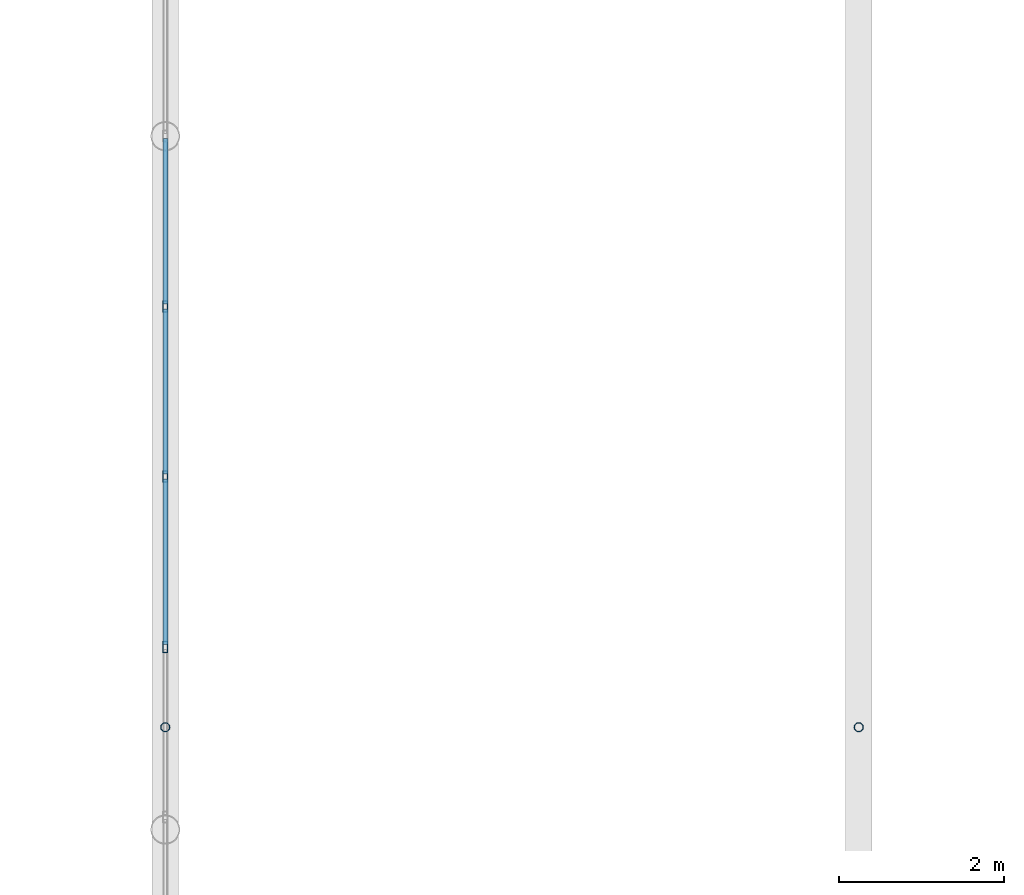
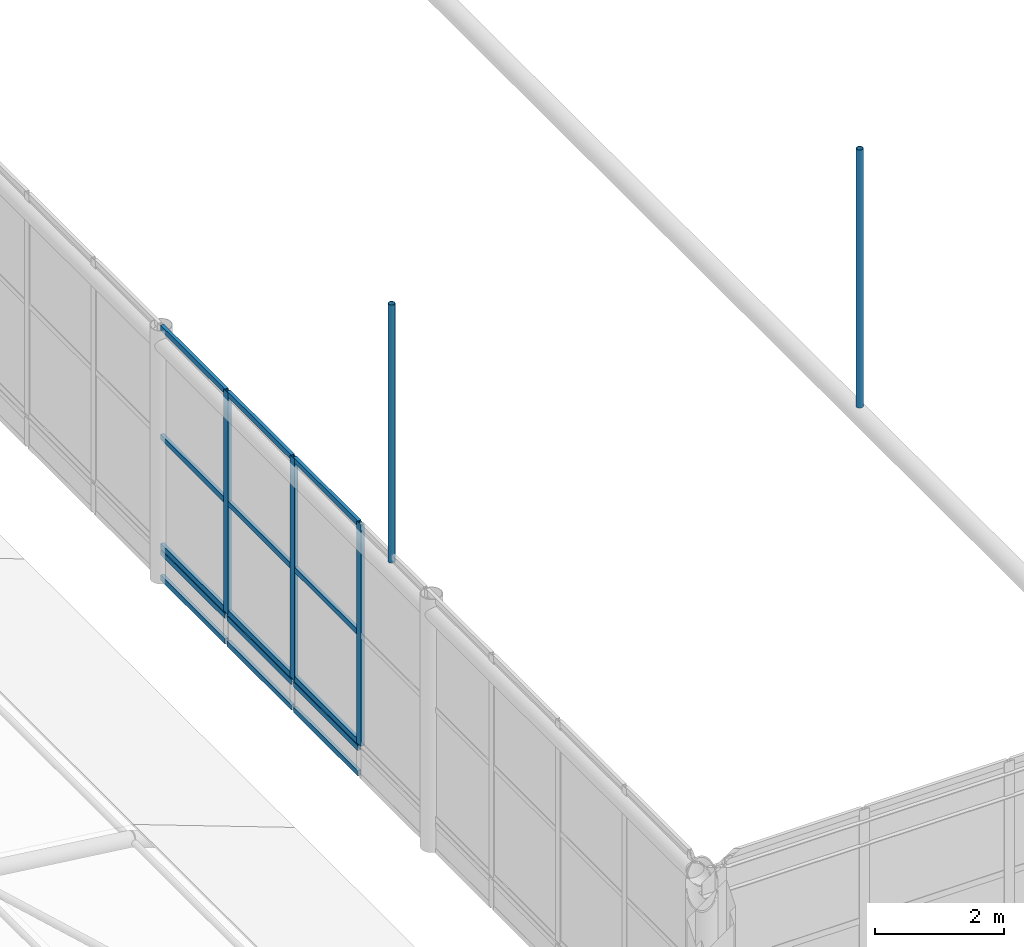
# One storey, part 22 of 167: 20 members, 2 elements without a shape of their own.
"""IFC4 building model written with IfcOpenShell, lengths in metres."""

from ifc_helpers import new_model, si_unit, direction, frame, origin, origin_2d, place, context, subcontext, project, spatial, hollow_rectangle, hollow_circle, extrude, material, material_profile, profile_set, type_object, element, aggregate, save


model = new_model("IFC4")

# Units and contexts
model_context = context("Model", 3, precision=1e-05, world=origin(), true_north=direction((0.0, 1.0)))
body_context = subcontext(model_context, "Body", "Model", "MODEL_VIEW")
ifc_project = project(units=[si_unit("LENGTHUNIT", "METRE"), si_unit("AREAUNIT", "SQUARE_METRE"), si_unit("VOLUMEUNIT", "CUBIC_METRE"), si_unit("PLANEANGLEUNIT", "RADIAN"), si_unit("MASSUNIT", "GRAM", prefix="KILO")], contexts=[model_context])

# Site, building, storey
site_placement = place(None, origin())
site = spatial("IfcSite", under=ifc_project, at=site_placement, CompositionType="ELEMENT")
building_placement = place(site_placement, origin())
building = spatial("IfcBuilding", under=site, at=building_placement, Name="Catenary Quay Ferry Terminal", CompositionType="ELEMENT")
storey_placement = place(building_placement, frame((0.0, 0.0, 6.0)))
storey = spatial("IfcBuildingStorey", under=building, at=storey_placement, Name="L01", CompositionType="ELEMENT", Elevation=6.0)

# Members
ifc_material_1 = material(Name="Steel S355", Category="steel")
ifc_material_profile_1 = material_profile(ifc_material_1, hollow_circle(Radius=0.05712890625, WallThickness=0.00634765625, at=origin_2d()), Name="CHS 114.3x6.3")
ifc_profile_set_1 = profile_set([ifc_material_profile_1], Name="Steel S355")
member_type_1 = type_object("IfcMemberType", Name="HG1 CHS 114.3x6.3", PredefinedType="POST", material=ifc_profile_set_1)
for number, where, z_axis, x_axis, name in (
    (1, (25.199951171875, 76.840087890625, 4.654052734375), (0.0, 0.0, 1.0), (1.0, 0.0, 0.0), "Hanger VA-01-03"),
    (2, (33.60009765625, 76.840087890625, 4.654052734375), (0.0, 0.0, 1.0), (1.0, 0.0, 0.0), "Hanger VA-02-03"),
):
    element("IfcMember", number, at=place(storey_placement, frame(where, z_axis=z_axis, x_axis=x_axis)), inside=storey, type_object=member_type_1, Name=name, PredefinedType="POST", context=body_context, shape_type="SweptSolid", body=[
        extrude(hollow_circle(Radius=0.05712890625, WallThickness=0.00634765625, at=origin_2d()), origin(), (0.0, 0.0, 1.0), 4.89599609375),
    ])

# Curtain wall, members
ifc_material_2 = material(Name="Aluminium and glass", Category="aluminium")
curtain_wall_type_1 = type_object("IfcCurtainWallType", Name="CWG", PredefinedType="NOTDEFINED", material=ifc_material_2)
curtain_wall_1_placement = place(storey_placement, origin())
curtain_wall_1 = element("IfcCurtainWall", 3, at=curtain_wall_1_placement, inside=storey, type_object=curtain_wall_type_1, Name="Gable arrivals hall curtain wall CW4", PredefinedType="NOTDEFINED")
ifc_material_3 = material(Name="Aluminium", Category="aluminium")
ifc_material_profile_2 = material_profile(ifc_material_3, hollow_rectangle(XDim=0.06005859375, YDim=0.139892578125, WallThickness=0.006103515625, at=origin_2d()), Name="MU2")
ifc_profile_set_2 = profile_set([ifc_material_profile_2], Name="Aluminium")
member_type_2 = type_object("IfcMemberType", Name="MU2", PredefinedType="MULLION", material=ifc_profile_set_2)
member_1_placement = place(storey_placement, frame((25.199951171875, 77.8125, 0.60009765625), z_axis=(0.0, 0.0, 1.0), x_axis=(-1.0, 0.0, 0.0)))
member_1 = element("IfcMember", 4, at=member_1_placement, type_object=member_type_2, Name="CW4 mullion 6", PredefinedType="MULLION", context=body_context, shape_type="SweptSolid", body=[
    extrude(hollow_rectangle(XDim=0.06005859375, YDim=0.139892578125, WallThickness=0.006103515625, at=origin_2d()), origin(), (0.0, 0.0, 1.0), 4.199951171875),
])
member_2_placement = place(storey_placement, frame((25.199951171875, 79.875, 0.60009765625), z_axis=(0.0, 0.0, 1.0), x_axis=(-1.0, 0.0, 0.0)))
member_2 = element("IfcMember", 5, at=member_2_placement, type_object=member_type_2, Name="CW4 mullion 7", PredefinedType="MULLION", context=body_context, shape_type="SweptSolid", body=[
    extrude(hollow_rectangle(XDim=0.06005859375, YDim=0.139892578125, WallThickness=0.006103515625, at=origin_2d()), origin(), (0.0, 0.0, 1.0), 4.199951171875),
])
member_3_placement = place(storey_placement, frame((25.199951171875, 81.9375, 0.60009765625), z_axis=(0.0, 0.0, 1.0), x_axis=(-1.0, 0.0, 0.0)))
member_3 = element("IfcMember", 6, at=member_3_placement, type_object=member_type_2, Name="CW4 mullion 8", PredefinedType="MULLION", context=body_context, shape_type="SweptSolid", body=[
    extrude(hollow_rectangle(XDim=0.06005859375, YDim=0.139892578125, WallThickness=0.006103515625, at=origin_2d()), origin(), (0.0, 0.0, 1.0), 4.199951171875),
])
ifc_material_4 = material(Name="Aluminium", Category="aluminium")
ifc_material_profile_3 = material_profile(ifc_material_4, hollow_rectangle(XDim=0.06005859375, YDim=0.10009765625, WallThickness=0.0048828125, at=origin_2d()), Name="TR2")
ifc_profile_set_3 = profile_set([ifc_material_profile_3], Name="Aluminium")
member_type_3 = type_object("IfcMemberType", Name="TR2", PredefinedType="USERDEFINED", material=ifc_profile_set_3)
member_4_placement = place(storey_placement, frame((25.199951171875, 77.842529296875, 0.6298828125), z_axis=(0.0, 1.0, 0.0), x_axis=(-1.0, 0.0, 0.0)))
member_4 = element("IfcMember", 7, at=member_4_placement, type_object=member_type_3, Name="CW4 transom 6.1", ObjectType="TRANSOM", PredefinedType="USERDEFINED", context=body_context, shape_type="SweptSolid", body=[
    extrude(hollow_rectangle(XDim=0.06005859375, YDim=0.10009765625, WallThickness=0.0048828125, at=origin_2d()), origin(), (0.0, 0.0, 1.0), 2.00244140625),
])
member_5_placement = place(storey_placement, frame((25.199951171875, 77.842529296875, 2.699951171875), z_axis=(0.0, 1.0, 0.0), x_axis=(-1.0, 0.0, 0.0)))
member_5 = element("IfcMember", 8, at=member_5_placement, type_object=member_type_3, Name="CW4 transom 6.2", ObjectType="TRANSOM", PredefinedType="USERDEFINED", context=body_context, shape_type="SweptSolid", body=[
    extrude(hollow_rectangle(XDim=0.06005859375, YDim=0.10009765625, WallThickness=0.0048828125, at=origin_2d()), origin(), (0.0, 0.0, 1.0), 2.00244140625),
])
member_6_placement = place(storey_placement, frame((25.199951171875, 77.842529296875, 4.77001953125), z_axis=(0.0, 1.0, 0.0), x_axis=(-1.0, 0.0, 0.0)))
member_6 = element("IfcMember", 9, at=member_6_placement, type_object=member_type_3, Name="CW4 transom 6.3", ObjectType="TRANSOM", PredefinedType="USERDEFINED", context=body_context, shape_type="SweptSolid", body=[
    extrude(hollow_rectangle(XDim=0.06005859375, YDim=0.10009765625, WallThickness=0.0048828125, at=origin_2d()), origin(), (0.0, 0.0, 1.0), 2.00244140625),
])
member_7_placement = place(storey_placement, frame((25.199951171875, 79.905029296875, 0.6298828125), z_axis=(0.0, 1.0, 0.0), x_axis=(-1.0, 0.0, 0.0)))
member_7 = element("IfcMember", 10, at=member_7_placement, type_object=member_type_3, Name="CW4 transom 7.1", ObjectType="TRANSOM", PredefinedType="USERDEFINED", context=body_context, shape_type="SweptSolid", body=[
    extrude(hollow_rectangle(XDim=0.06005859375, YDim=0.10009765625, WallThickness=0.0048828125, at=origin_2d()), origin(), (0.0, 0.0, 1.0), 2.00244140625),
])
member_8_placement = place(storey_placement, frame((25.199951171875, 79.905029296875, 2.699951171875), z_axis=(0.0, 1.0, 0.0), x_axis=(-1.0, 0.0, 0.0)))
member_8 = element("IfcMember", 11, at=member_8_placement, type_object=member_type_3, Name="CW4 transom 7.2", ObjectType="TRANSOM", PredefinedType="USERDEFINED", context=body_context, shape_type="SweptSolid", body=[
    extrude(hollow_rectangle(XDim=0.06005859375, YDim=0.10009765625, WallThickness=0.0048828125, at=origin_2d()), origin(), (0.0, 0.0, 1.0), 2.00244140625),
])
member_9_placement = place(storey_placement, frame((25.199951171875, 79.905029296875, 4.77001953125), z_axis=(0.0, 1.0, 0.0), x_axis=(-1.0, 0.0, 0.0)))
member_9 = element("IfcMember", 12, at=member_9_placement, type_object=member_type_3, Name="CW4 transom 7.3", ObjectType="TRANSOM", PredefinedType="USERDEFINED", context=body_context, shape_type="SweptSolid", body=[
    extrude(hollow_rectangle(XDim=0.06005859375, YDim=0.10009765625, WallThickness=0.0048828125, at=origin_2d()), origin(), (0.0, 0.0, 1.0), 2.00244140625),
])
member_10_placement = place(storey_placement, frame((25.199951171875, 81.967529296875, 0.6298828125), z_axis=(0.0, 1.0, 0.0), x_axis=(-1.0, 0.0, 0.0)))
member_10 = element("IfcMember", 13, at=member_10_placement, type_object=member_type_3, Name="CW4 transom 8.1", ObjectType="TRANSOM", PredefinedType="USERDEFINED", context=body_context, shape_type="SweptSolid", body=[
    extrude(hollow_rectangle(XDim=0.06005859375, YDim=0.10009765625, WallThickness=0.0048828125, at=origin_2d()), origin(), (0.0, 0.0, 1.0), 2.00244140625),
])
member_11_placement = place(storey_placement, frame((25.199951171875, 81.967529296875, 2.699951171875), z_axis=(0.0, 1.0, 0.0), x_axis=(-1.0, 0.0, 0.0)))
member_11 = element("IfcMember", 14, at=member_11_placement, type_object=member_type_3, Name="CW4 transom 8.2", ObjectType="TRANSOM", PredefinedType="USERDEFINED", context=body_context, shape_type="SweptSolid", body=[
    extrude(hollow_rectangle(XDim=0.06005859375, YDim=0.10009765625, WallThickness=0.0048828125, at=origin_2d()), origin(), (0.0, 0.0, 1.0), 2.00244140625),
])
member_12_placement = place(storey_placement, frame((25.199951171875, 81.967529296875, 4.77001953125), z_axis=(0.0, 1.0, 0.0), x_axis=(-1.0, 0.0, 0.0)))
member_12 = element("IfcMember", 15, at=member_12_placement, type_object=member_type_3, Name="CW4 transom 8.3", ObjectType="TRANSOM", PredefinedType="USERDEFINED", context=body_context, shape_type="SweptSolid", body=[
    extrude(hollow_rectangle(XDim=0.06005859375, YDim=0.10009765625, WallThickness=0.0048828125, at=origin_2d()), origin(), (0.0, 0.0, 1.0), 2.00244140625),
])
aggregate(curtain_wall_1, [member_1, member_2, member_3, member_4, member_5, member_6, member_7, member_8, member_9, member_10, member_11, member_12])

ifc_material_5 = material(Name="Aluminium and glass", Category="aluminium")
curtain_wall_type_2 = type_object("IfcCurtainWallType", Name="CWQ", PredefinedType="NOTDEFINED", material=ifc_material_5)
curtain_wall_2_placement = place(storey_placement, origin())
curtain_wall_2 = element("IfcCurtainWall", 16, at=curtain_wall_2_placement, inside=storey, type_object=curtain_wall_type_2, Name="Gable arrivals hall base curtain wall CW173", PredefinedType="NOTDEFINED")
member_13_placement = place(storey_placement, frame((25.199951171875, 77.842529296875, 0.030029296875), z_axis=(0.0, 1.0, 0.0), x_axis=(-1.0, 0.0, 0.0)))
member_13 = element("IfcMember", 17, at=member_13_placement, type_object=member_type_3, Name="CW173 transom 6.1", ObjectType="TRANSOM", PredefinedType="USERDEFINED", context=body_context, shape_type="SweptSolid", body=[
    extrude(hollow_rectangle(XDim=0.06005859375, YDim=0.10009765625, WallThickness=0.0048828125, at=origin_2d()), origin(), (0.0, 0.0, 1.0), 2.00244140625),
])
member_14_placement = place(storey_placement, frame((25.199951171875, 77.842529296875, 0.510009765625), z_axis=(0.0, 1.0, 0.0), x_axis=(-1.0, 0.0, 0.0)))
member_14 = element("IfcMember", 18, at=member_14_placement, type_object=member_type_3, Name="CW173 transom 6.2", ObjectType="TRANSOM", PredefinedType="USERDEFINED", context=body_context, shape_type="SweptSolid", body=[
    extrude(hollow_rectangle(XDim=0.06005859375, YDim=0.10009765625, WallThickness=0.0048828125, at=origin_2d()), origin(), (0.0, 0.0, 1.0), 2.00244140625),
])
member_15_placement = place(storey_placement, frame((25.199951171875, 79.905029296875, 0.030029296875), z_axis=(0.0, 1.0, 0.0), x_axis=(-1.0, 0.0, 0.0)))
member_15 = element("IfcMember", 19, at=member_15_placement, type_object=member_type_3, Name="CW173 transom 7.1", ObjectType="TRANSOM", PredefinedType="USERDEFINED", context=body_context, shape_type="SweptSolid", body=[
    extrude(hollow_rectangle(XDim=0.06005859375, YDim=0.10009765625, WallThickness=0.0048828125, at=origin_2d()), origin(), (0.0, 0.0, 1.0), 2.00244140625),
])
member_16_placement = place(storey_placement, frame((25.199951171875, 79.905029296875, 0.510009765625), z_axis=(0.0, 1.0, 0.0), x_axis=(-1.0, 0.0, 0.0)))
member_16 = element("IfcMember", 20, at=member_16_placement, type_object=member_type_3, Name="CW173 transom 7.2", ObjectType="TRANSOM", PredefinedType="USERDEFINED", context=body_context, shape_type="SweptSolid", body=[
    extrude(hollow_rectangle(XDim=0.06005859375, YDim=0.10009765625, WallThickness=0.0048828125, at=origin_2d()), origin(), (0.0, 0.0, 1.0), 2.00244140625),
])
member_17_placement = place(storey_placement, frame((25.199951171875, 81.967529296875, 0.030029296875), z_axis=(0.0, 1.0, 0.0), x_axis=(-1.0, 0.0, 0.0)))
member_17 = element("IfcMember", 21, at=member_17_placement, type_object=member_type_3, Name="CW173 transom 8.1", ObjectType="TRANSOM", PredefinedType="USERDEFINED", context=body_context, shape_type="SweptSolid", body=[
    extrude(hollow_rectangle(XDim=0.06005859375, YDim=0.10009765625, WallThickness=0.0048828125, at=origin_2d()), origin(), (0.0, 0.0, 1.0), 2.00244140625),
])
member_18_placement = place(storey_placement, frame((25.199951171875, 81.967529296875, 0.510009765625), z_axis=(0.0, 1.0, 0.0), x_axis=(-1.0, 0.0, 0.0)))
member_18 = element("IfcMember", 22, at=member_18_placement, type_object=member_type_3, Name="CW173 transom 8.2", ObjectType="TRANSOM", PredefinedType="USERDEFINED", context=body_context, shape_type="SweptSolid", body=[
    extrude(hollow_rectangle(XDim=0.06005859375, YDim=0.10009765625, WallThickness=0.0048828125, at=origin_2d()), origin(), (0.0, 0.0, 1.0), 2.00244140625),
])
aggregate(curtain_wall_2, [member_13, member_14, member_15, member_16, member_17, member_18])

save(model, "model.ifc")
